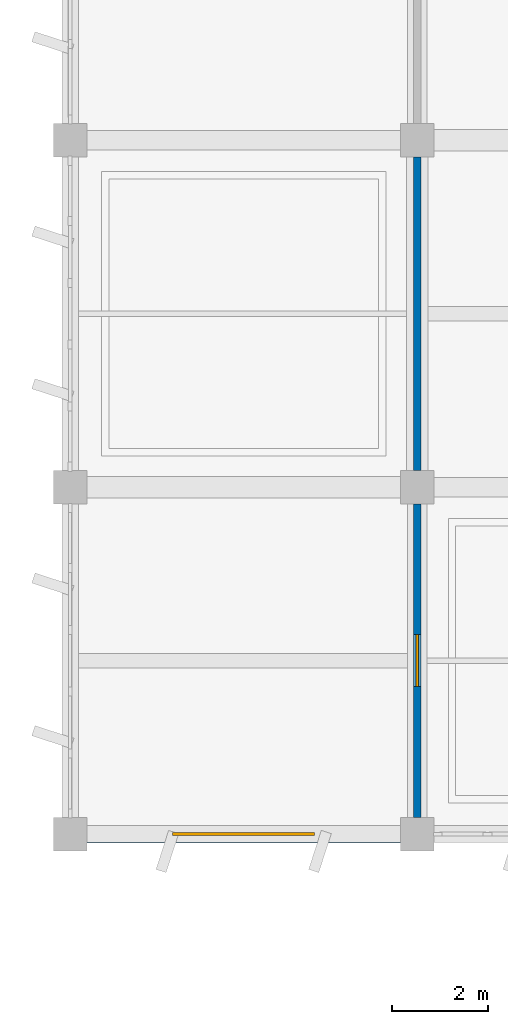
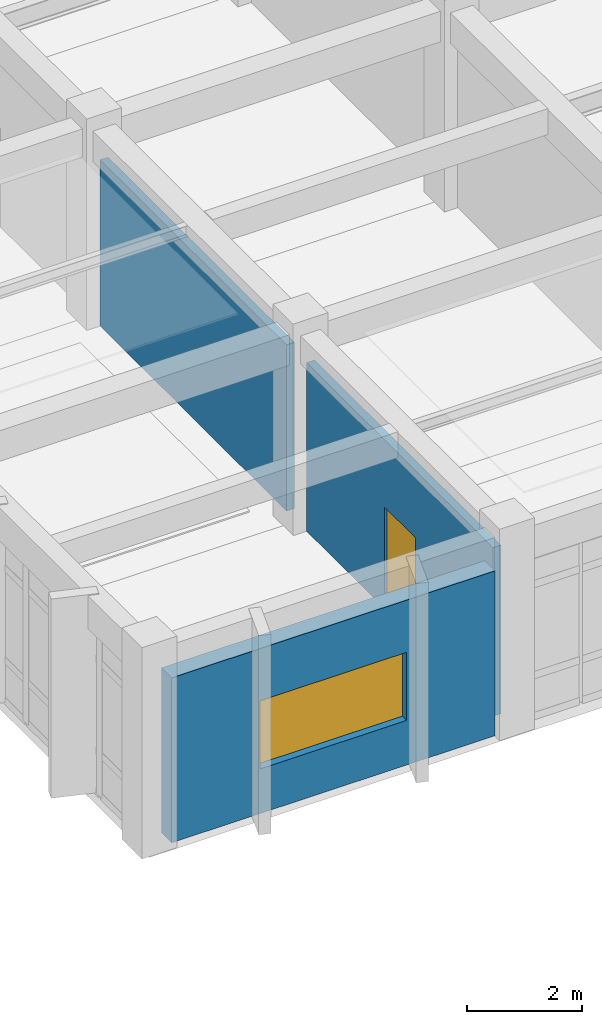
# One storey, part 63 of 81: 3 walls, 1 door, 1 window, 2 openings.
"""IFC4 building model written with IfcOpenShell, lengths in metres."""

from ifc_helpers import new_model, si_unit, direction, frame, frame_2d, origin, place, context, subcontext, project, spatial, rectangle, extrude, material, layer, layer_set, type_object, element, fill, save


model = new_model("IFC4")

# Units and contexts
model_context = context("Model", 3, precision=1e-05, world=origin(), true_north=direction((0.0, 1.0)))
body_context = subcontext(model_context, "Body", "Model", "MODEL_VIEW")
ifc_project = project(units=[si_unit("LENGTHUNIT", "METRE"), si_unit("AREAUNIT", "SQUARE_METRE"), si_unit("VOLUMEUNIT", "CUBIC_METRE"), si_unit("PLANEANGLEUNIT", "RADIAN"), si_unit("MASSUNIT", "GRAM", prefix="KILO")], contexts=[model_context])

# Site, building, storey
site_placement = place(None, origin())
site = spatial("IfcSite", under=ifc_project, at=site_placement, CompositionType="ELEMENT")
building_placement = place(site_placement, origin())
building = spatial("IfcBuilding", under=site, at=building_placement, Name="Kavelor Marine Aquarium", CompositionType="ELEMENT")
storey_placement = place(building_placement, frame((0.0, 0.0, 4.679931640625)))
storey = spatial("IfcBuildingStorey", under=building, at=storey_placement, Name="L01", CompositionType="ELEMENT", Elevation=4.679931640625)

# Wall, opening, window
ifc_material_1 = material(Name="Concrete C45/55", Category="concrete")
ifc_layer_1 = layer(ifc_material_1, 0.360107421875)
ifc_layer_set_1 = layer_set([ifc_layer_1], Name="WL-EX1")
wall_type_1 = type_object("IfcWallType", Name="WL-EX1", PredefinedType="STANDARD", material=ifc_layer_set_1)
wall_1_placement = place(storey_placement, frame((125.2548828125, 53.199951171875, 0.0), z_axis=(0.0, 0.0, 1.0), x_axis=(-1.0, 0.0, 0.0)))
wall_1 = element("IfcWall", 1, at=wall_1_placement, inside=storey, type_object=wall_type_1, Name="ew:x:L01:16_07", PredefinedType="STANDARD", context=body_context, shape_type="SweptSolid", body=[
    extrude(rectangle(XDim=6.509765625, YDim=0.360107421875, at=frame_2d((3.2548828125, 0.0))), origin(), (0.0, 0.0, 1.0), 3.510009765625),
])
opening_1_placement = place(wall_1_placement, frame((1.780029296875, 0.0, 0.949951171875)))
opening_1 = element("IfcOpeningElement", 2, at=opening_1_placement, cuts=wall_1, Name="Opening W34", PredefinedType="OPENING", context=body_context, shape_type="SweptSolid", body=[
    extrude(rectangle(XDim=2.949951171875, YDim=1.449951171875, at=frame_2d((1.47509765625, 0.72509765625))), frame((0.0, 0.18994140625, 0.0), z_axis=(0.0, -1.0, 0.0), x_axis=(1.0, 0.0, 0.0)), (0.0, 0.0, 1.0), 0.380107),
])
ifc_material_2 = material(Name="Anodised Aluminium Frame with Low-E Double Glazing", Category="aluminium")
window_type = type_object("IfcWindowType", Name="WIN-W34", PartitioningType="DOUBLE_PANEL_VERTICAL", PredefinedType="WINDOW", material=ifc_material_2)
window_placement = place(opening_1_placement, origin())
window = element("IfcWindow", 3, at=window_placement, inside=storey, type_object=window_type, Name="win:x:L01:16_07", OverallHeight=1.449951171875, OverallWidth=2.949951171875, PartitioningType="SINGLE_PANEL", PredefinedType="WINDOW", context=body_context, shape_type="SweptSolid", body=[
    extrude(rectangle(XDim=2.949951171875, YDim=1.449951171875, at=frame_2d((1.47509765625, 0.72509765625))), frame((0.0, 0.030029296875, 0.0), z_axis=(0.0, -1.0, 0.0), x_axis=(1.0, 0.0, 0.0)), (0.0, 0.0, 1.0), 0.06005859375),
])
fill(opening_1, window)

# Wall, opening, door
ifc_material_3 = material(Name="Acoustic Gypsum Stud Partition")
ifc_layer_2 = layer(ifc_material_3, 0.159912109375)
ifc_layer_set_2 = layer_set([ifc_layer_2], Name="WL-PT2")
wall_type_2 = type_object("IfcWallType", Name="WL-PT2", PredefinedType="PARTITIONING", material=ifc_layer_set_2)
wall_2_placement = place(storey_placement, frame((125.60009765625, 53.550048828125, 0.0), z_axis=(0.0, 0.0, 1.0), x_axis=(0.0, 1.0, 0.0)))
wall_2 = element("IfcWall", 4, at=wall_2_placement, inside=storey, type_object=wall_type_2, Name="pt:y:L01:16_07", PredefinedType="PARTITIONING", context=body_context, shape_type="SweptSolid", body=[
    extrude(rectangle(XDim=6.5, YDim=0.159912109375, at=frame_2d((3.25, 0.0))), origin(), (0.0, 0.0, 1.0), 3.590087890625),
])
opening_2_placement = place(wall_2_placement, frame((2.7099609375, 0.0, 0.0)))
opening_2 = element("IfcOpeningElement", 5, at=opening_2_placement, cuts=wall_2, Name="Opening D08", PredefinedType="OPENING", context=body_context, shape_type="SweptSolid", body=[
    extrude(rectangle(XDim=1.080078125, YDim=2.159912109375, at=frame_2d((0.5400390625, 1.080078125))), frame((0.0, 0.08984375, 0.0), z_axis=(0.0, -1.0, 0.0), x_axis=(1.0, 0.0, 0.0)), (0.0, 0.0, 1.0), 0.179912),
])
ifc_material_4 = material(Name="Discovery Wet Lab Vision Door")
door_type = type_object("IfcDoorType", Name="DR-D08", OperationType="NOTDEFINED", PredefinedType="DOOR", material=ifc_material_4)
door_placement = place(opening_2_placement, origin())
door = element("IfcDoor", 6, at=door_placement, inside=storey, type_object=door_type, Name="dr:rm:pt:y:L01:16_07:0", OperationType="SINGLE_SWING_LEFT", OverallHeight=2.159912109375, OverallWidth=1.080078125, PredefinedType="DOOR", context=body_context, shape_type="SweptSolid", body=[
    extrude(rectangle(XDim=1.080078125, YDim=2.159912109375, at=frame_2d((0.5400390625, 1.080078125))), frame((0.0, 0.02490234375, 0.0), z_axis=(0.0, -1.0, 0.0), x_axis=(1.0, 0.0, 0.0)), (0.0, 0.0, 1.0), 0.050048828125),
])
fill(opening_2, door)

# Wall
wall_3_placement = place(storey_placement, frame((125.60009765625, 60.75, 0.0), z_axis=(0.0, 0.0, 1.0), x_axis=(0.0, 1.0, 0.0)))
element("IfcWall", 7, at=wall_3_placement, inside=storey, type_object=wall_type_2, Name="pt:y:L01:16_08", PredefinedType="PARTITIONING", context=body_context, shape_type="SweptSolid", body=[
    extrude(rectangle(XDim=6.5, YDim=0.159912109375, at=frame_2d((3.25, 0.0))), origin(), (0.0, 0.0, 1.0), 3.5400390625),
])

save(model, "model.ifc")
